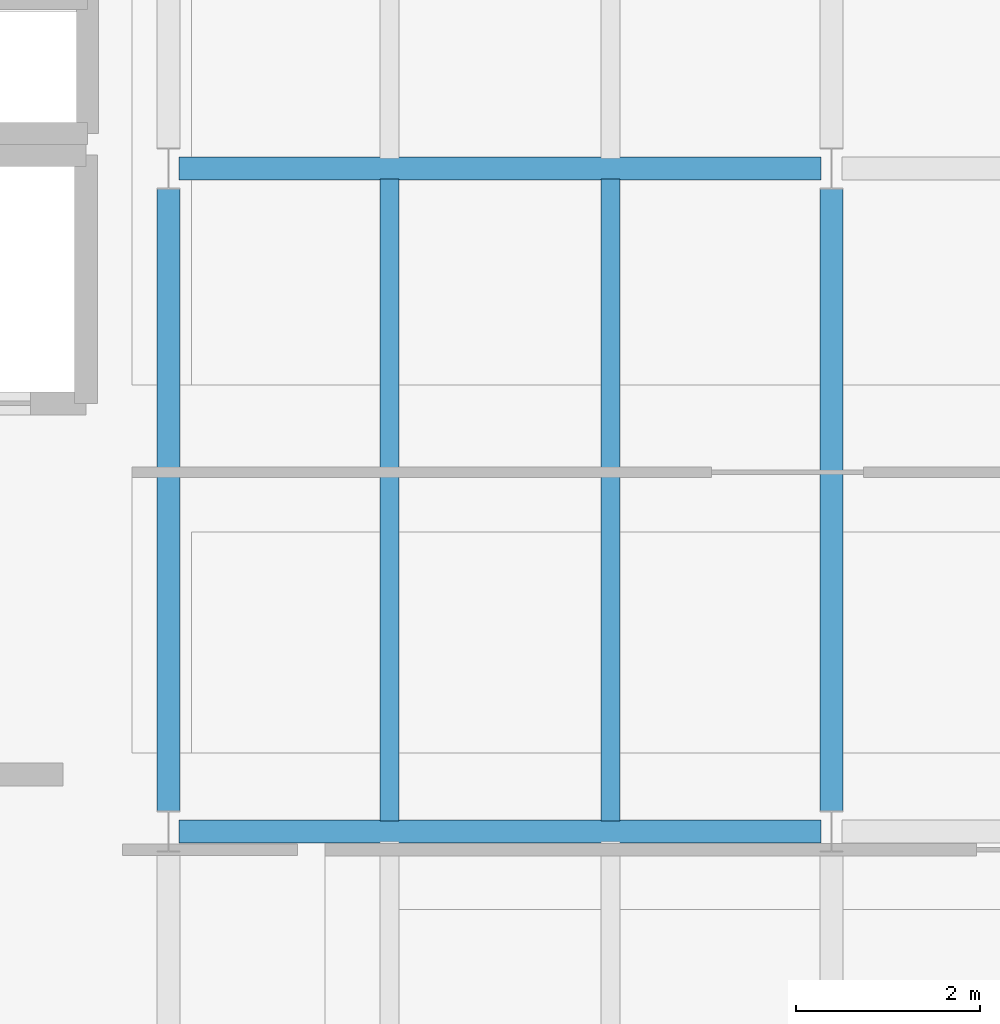
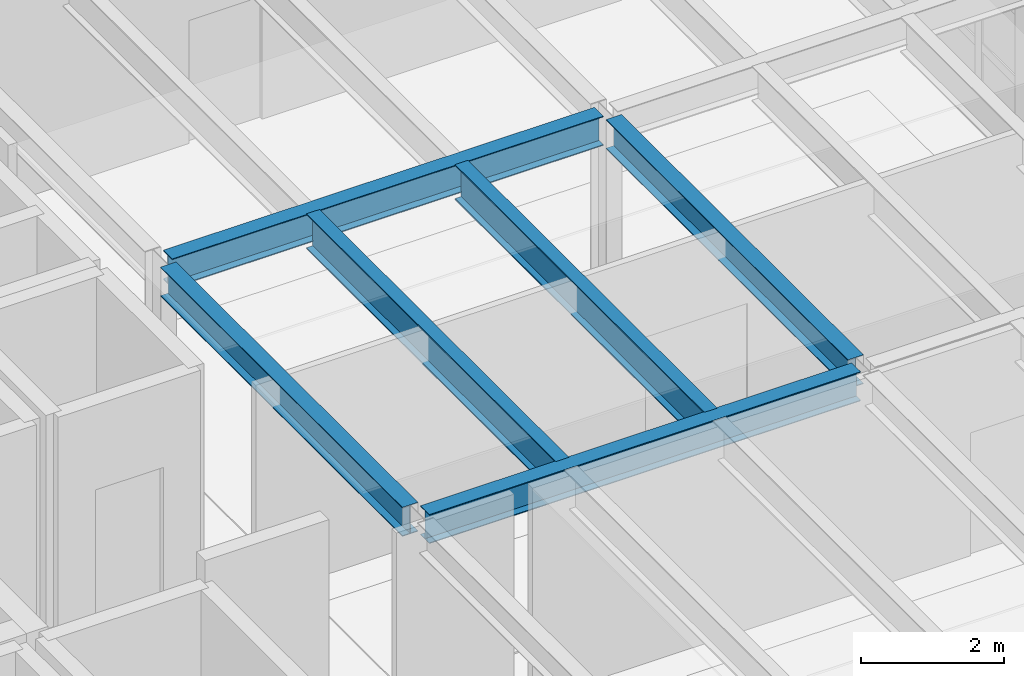
# One storey, part 7 of 24: 6 beams.
"""IFC4 building model written with IfcOpenShell, lengths in metres."""

from ifc_helpers import new_model, si_unit, direction, frame, origin, origin_2d, place, context, subcontext, project, spatial, i_section, extrude, material, material_profile, profile_set, type_object, element, save


model = new_model("IFC4")

# Units and contexts
model_context = context("Model", 3, precision=1e-05, world=origin(), true_north=direction((0.0, 1.0)))
body_context = subcontext(model_context, "Body", "Model", "MODEL_VIEW")
ifc_project = project(units=[si_unit("LENGTHUNIT", "METRE"), si_unit("AREAUNIT", "SQUARE_METRE"), si_unit("VOLUMEUNIT", "CUBIC_METRE"), si_unit("PLANEANGLEUNIT", "RADIAN"), si_unit("MASSUNIT", "GRAM", prefix="KILO")], contexts=[model_context])

# Site, building, storey
site_placement = place(None, origin())
site = spatial("IfcSite", under=ifc_project, at=site_placement, CompositionType="ELEMENT")
building_placement = place(site_placement, origin())
building = spatial("IfcBuilding", under=site, at=building_placement, Name="Kandorven Conservatory and Botanical Research Centre", CompositionType="ELEMENT")
storey_placement = place(building_placement, frame((0.0, 0.0, 24.89990234375)))
storey = spatial("IfcBuildingStorey", under=building, at=storey_placement, Name="L06", CompositionType="ELEMENT", Elevation=24.89990234375)

# Beams
ifc_material_1 = material(Name="Steel S355 (IS 2062 E350)", Category="steel")
ifc_material_profile_1 = material_profile(ifc_material_1, i_section(OverallWidth=0.25, OverallDepth=0.5, WebThickness=0.010009765625, FlangeThickness=0.0146484375, at=origin_2d()))
ifc_profile_set_1 = profile_set([ifc_material_profile_1], Name="Steel S355 (IS 2062 E350)")
beam_type_1 = type_object("IfcBeamType", Name="Beam_FG-02", PredefinedType="USERDEFINED", material=ifc_profile_set_1)
for number, where, z_axis, x_axis, name in (
    (1, (27.715087890625, 13.199951171875, 3.400146484375), (1.0, 0.0, 0.0), (0.0, 1.0, 0.0), "Primary girder FG-02 TWR L06"),
    (2, (27.715087890625, 20.39990234375, 3.400146484375), (1.0, 0.0, 0.0), (0.0, 1.0, 0.0), "Primary girder FG-02 TWR L06"),
):
    element("IfcBeam", number, at=place(storey_placement, frame(where, z_axis=z_axis, x_axis=x_axis)), inside=storey, type_object=beam_type_1, Name=name, ObjectType="GIRDER", PredefinedType="USERDEFINED", context=body_context, shape_type="SweptSolid", body=[
        extrude(i_section(OverallWidth=0.25, OverallDepth=0.5, WebThickness=0.010009765625, FlangeThickness=0.0146484375, at=origin_2d()), origin(), (0.0, 0.0, 1.0), 6.969970703125),
    ])
for number, where, z_axis, x_axis, name in (
    (3, (27.60009765625, 13.4150390625, 3.400146484375), (0.0, 1.0, 0.0), (-1.0, 0.0, 0.0), "Primary girder FG-02 TWR L06"),
    (4, (34.800048828125, 13.4150390625, 3.400146484375), (0.0, 1.0, 0.0), (-1.0, 0.0, 0.0), "Primary girder FG-02 TWR L06"),
):
    element("IfcBeam", number, at=place(storey_placement, frame(where, z_axis=z_axis, x_axis=x_axis)), inside=storey, type_object=beam_type_1, Name=name, ObjectType="GIRDER", PredefinedType="USERDEFINED", context=body_context, shape_type="SweptSolid", body=[
        extrude(i_section(OverallWidth=0.25, OverallDepth=0.5, WebThickness=0.010009765625, FlangeThickness=0.0146484375, at=origin_2d()), origin(), (0.0, 0.0, 1.0), 6.77001953125),
    ])
ifc_material_2 = material(Name="Steel S355 (IS 2062 E350)", Category="steel")
ifc_material_profile_2 = material_profile(ifc_material_2, i_section(OverallWidth=0.2099609375, OverallDepth=0.60009765625, WebThickness=0.011962890625, FlangeThickness=0.020751953125, at=origin_2d()))
ifc_profile_set_2 = profile_set([ifc_material_profile_2], Name="Steel S355 (IS 2062 E350)")
beam_type_2 = type_object("IfcBeamType", Name="Beam_SB-01", PredefinedType="BEAM", material=ifc_profile_set_2)
for number, where, z_axis, x_axis, name in (
    (5, (30.0, 13.31005859375, 3.35009765625), (0.0, 1.0, 0.0), (-1.0, 0.0, 0.0), "Composite secondary beam SB-01 TWR L06"),
    (6, (32.39990234375, 13.31005859375, 3.35009765625), (0.0, 1.0, 0.0), (-1.0, 0.0, 0.0), "Composite secondary beam SB-01 TWR L06"),
):
    element("IfcBeam", number, at=place(storey_placement, frame(where, z_axis=z_axis, x_axis=x_axis)), inside=storey, type_object=beam_type_2, Name=name, PredefinedType="BEAM", context=body_context, shape_type="SweptSolid", body=[
        extrude(i_section(OverallWidth=0.2099609375, OverallDepth=0.60009765625, WebThickness=0.011962890625, FlangeThickness=0.020751953125, at=origin_2d()), origin(), (0.0, 0.0, 1.0), 6.97998046875),
    ])

save(model, "model.ifc")
